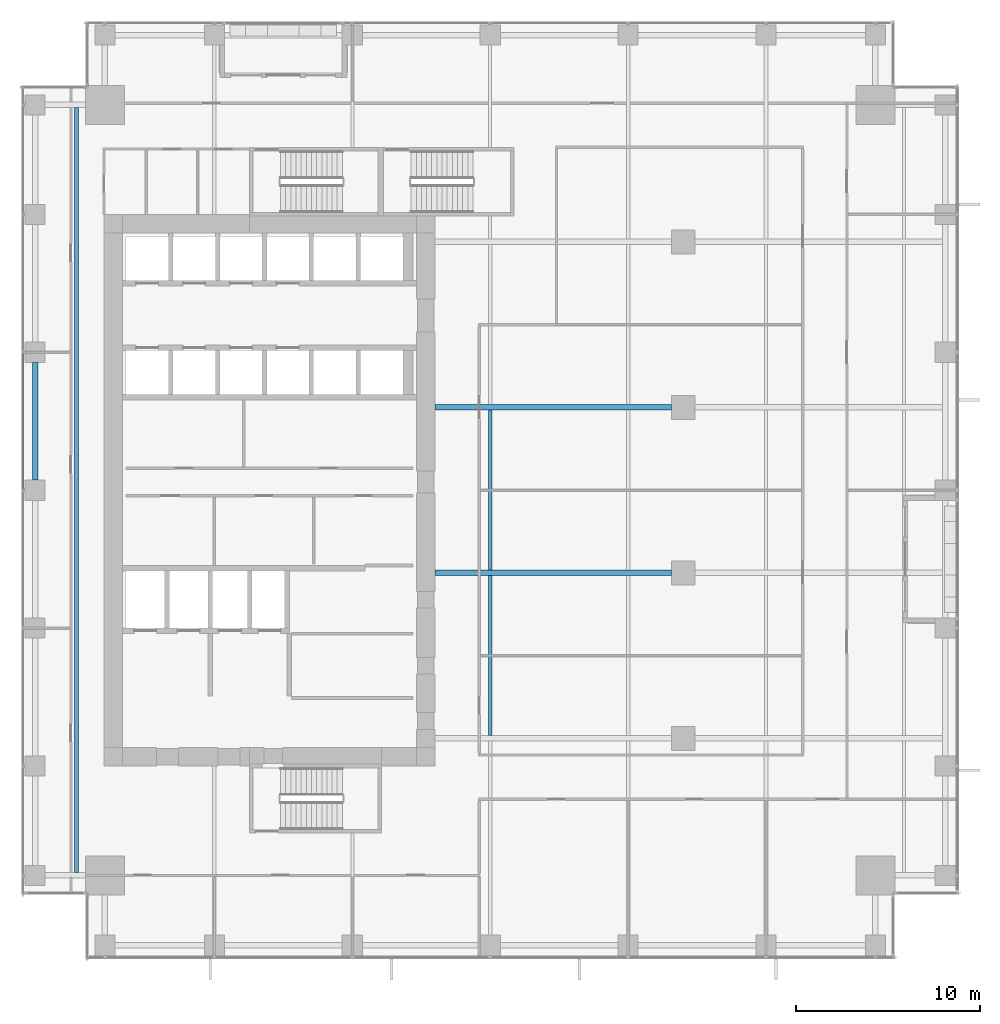
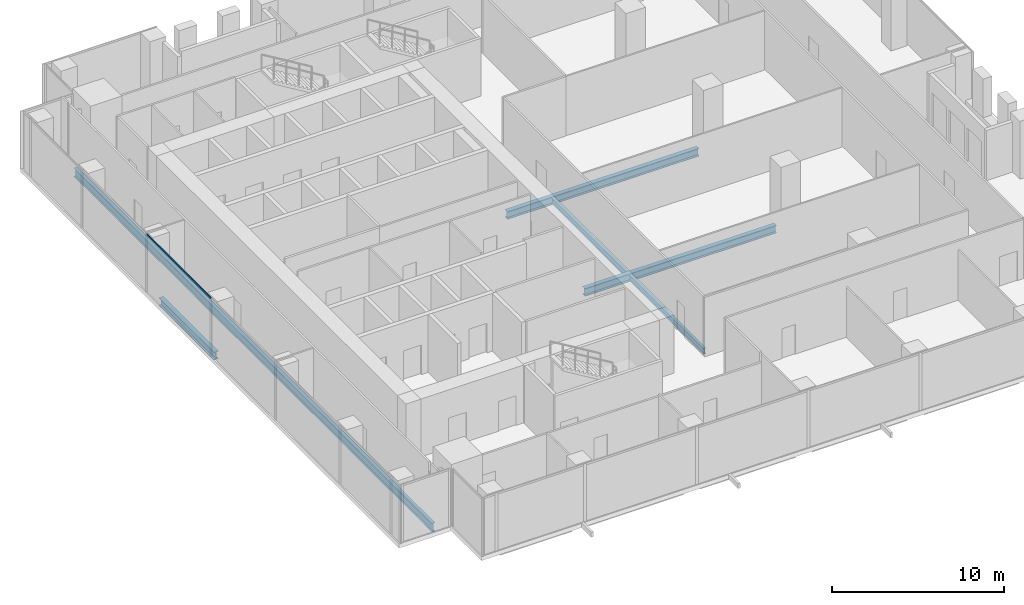
# One storey, part 8 of 34: 6 beams, 1 member, 1 element without a shape of its own.
"""IFC4 building model written with IfcOpenShell, lengths in metres."""

from ifc_helpers import new_model, si_unit, direction, frame, origin, origin_2d, place, context, subcontext, project, spatial, hollow_rectangle, i_section, extrude, source, transform, mapped, material, material_profile, profile_set, type_object, element, aggregate, save


model = new_model("IFC4")

# Units and contexts
model_context = context("Model", 3, precision=1e-05, world=origin(), true_north=direction((0.0, 1.0)))
body_context = subcontext(model_context, "Body", "Model", "MODEL_VIEW")
ifc_project = project(units=[si_unit("LENGTHUNIT", "METRE"), si_unit("AREAUNIT", "SQUARE_METRE"), si_unit("VOLUMEUNIT", "CUBIC_METRE"), si_unit("PLANEANGLEUNIT", "RADIAN"), si_unit("MASSUNIT", "GRAM", prefix="KILO")], contexts=[model_context])

# Site, building, storey
site_placement = place(None, origin())
site = spatial("IfcSite", under=ifc_project, at=site_placement, CompositionType="ELEMENT")
building_placement = place(site_placement, origin())
building = spatial("IfcBuilding", under=site, at=building_placement, Name="Khomas Fold Tower", CompositionType="ELEMENT")
storey_placement = place(building_placement, frame((0.0, 0.0, 105.89990234375)))
storey = spatial("IfcBuildingStorey", under=building, at=storey_placement, Name="L22", CompositionType="ELEMENT", Elevation=105.89990234375)

# Beams
ifc_material_1 = material(Name="Steel S355", Category="steel")
ifc_material_profile_1 = material_profile(ifc_material_1, i_section(OverallWidth=0.179931640625, OverallDepth=0.39990234375, WebThickness=0.008544921875, FlangeThickness=0.013427734375, at=origin_2d()), Name="IPE 400")
ifc_profile_set_1 = profile_set([ifc_material_profile_1], Name="Steel S355")
beam_type_1 = type_object("IfcBeamType", Name="IPE 400 beam JB3", PredefinedType="BEAM", material=ifc_profile_set_1)
shared_shape_1 = source(origin(), body_context, "Body", "SweptSolid", [
    extrude(i_section(OverallWidth=0.179931640625, OverallDepth=0.39990234375, WebThickness=0.008544921875, FlangeThickness=0.013427734375, at=origin_2d()), origin(), (0.0, 0.0, 1.0), 8.7001953125),
])
for number, where, z_axis, x_axis, name in (
    (1, (27.0, 13.64990234375, -0.5), (0.0, 1.0, 0.0), (-1.0, 0.0, 0.0), "JB3"),
    (2, (27.0, 22.64990234375, -0.5), (0.0, 1.0, 0.0), (-1.0, 0.0, 0.0), "JB3"),
):
    element("IfcBeam", number, at=place(storey_placement, frame(where, z_axis=z_axis, x_axis=x_axis)), inside=storey, type_object=beam_type_1, Name=name, PredefinedType="BEAM", context=body_context, shape_type="MappedRepresentation", body=[
        mapped(shared_shape_1, transform((0.0, 0.0, 0.0))),
    ])
ifc_material_2 = material(Name="Steel S355", Category="steel")
ifc_material_profile_2 = material_profile(ifc_material_2, i_section(OverallWidth=0.300048828125, OverallDepth=0.550048828125, WebThickness=0.014892578125, FlangeThickness=0.029052734375, at=origin_2d()), Name="HE 550 B")
ifc_profile_set_2 = profile_set([ifc_material_profile_2], Name="Steel S355")
beam_type_2 = type_object("IfcBeamType", Name="HE 550 B spandrel SB2", PredefinedType="SPANDREL", material=ifc_profile_set_2)
shared_shape_2 = source(origin(), body_context, "Body", "SweptSolid", [
    extrude(i_section(OverallWidth=0.300048828125, OverallDepth=0.550048828125, WebThickness=0.014892578125, FlangeThickness=0.029052734375, at=origin_2d()), origin(), (0.0, 0.0, 1.0), 6.39990234375),
])
beam_1_placement = place(storey_placement, frame((2.25, 27.550048828125, -0.574951171875), z_axis=(0.0, 1.0, 0.0), x_axis=(-1.0, 0.0, 0.0)))
element("IfcBeam", 3, at=beam_1_placement, inside=storey, type_object=beam_type_2, Name="SB2", PredefinedType="SPANDREL", context=body_context, shape_type="MappedRepresentation", body=[
    mapped(shared_shape_2, transform((0.0, 0.0, 0.0))),
])
ifc_material_3 = material(Name="Steel S355", Category="steel")
ifc_material_profile_3 = material_profile(ifc_material_3, i_section(OverallWidth=0.300048828125, OverallDepth=0.550048828125, WebThickness=0.014892578125, FlangeThickness=0.029052734375, at=origin_2d()), Name="HE 550 B")
ifc_profile_set_3 = profile_set([ifc_material_profile_3], Name="Steel S355")
beam_type_3 = type_object("IfcBeamType", Name="HE 550 B beam GB4", PredefinedType="BEAM", material=ifc_profile_set_3)
shared_shape_3 = source(origin(), body_context, "Body", "SweptSolid", [
    extrude(i_section(OverallWidth=0.300048828125, OverallDepth=0.550048828125, WebThickness=0.014892578125, FlangeThickness=0.029052734375, at=origin_2d()), origin(), (0.0, 0.0, 1.0), 12.85009765625),
])
for number, where, z_axis, x_axis, name in (
    (4, (24.0, 22.5, -0.574951171875), (1.0, 0.0, 0.0), (0.0, 1.0, 0.0), "GB4"),
    (5, (24.0, 31.5, -0.574951171875), (1.0, 0.0, 0.0), (0.0, 1.0, 0.0), "GB4"),
):
    element("IfcBeam", number, at=place(storey_placement, frame(where, z_axis=z_axis, x_axis=x_axis)), inside=storey, type_object=beam_type_3, Name=name, PredefinedType="BEAM", context=body_context, shape_type="MappedRepresentation", body=[
        mapped(shared_shape_3, transform((0.0, 0.0, 0.0))),
    ])
ifc_material_4 = material(Name="Steel S355", Category="steel")
ifc_material_profile_4 = material_profile(ifc_material_4, i_section(OverallWidth=0.219970703125, OverallDepth=0.60009765625, WebThickness=0.011962890625, FlangeThickness=0.01904296875, at=origin_2d()), Name="IPE 600")
ifc_profile_set_4 = profile_set([ifc_material_profile_4], Name="Steel S355")
beam_type_4 = type_object("IfcBeamType", Name="IPE 600 beam JB7", PredefinedType="BEAM", material=ifc_profile_set_4)
shared_shape_4 = source(origin(), body_context, "Body", "SweptSolid", [
    extrude(i_section(OverallWidth=0.219970703125, OverallDepth=0.60009765625, WebThickness=0.011962890625, FlangeThickness=0.01904296875, at=origin_2d()), origin(), (0.0, 0.0, 1.0), 41.60009765625),
])
beam_2_placement = place(storey_placement, frame((4.5, 6.199951171875, -0.599853515625), z_axis=(0.0, 1.0, 0.0), x_axis=(-1.0, 0.0, 0.0)))
element("IfcBeam", 6, at=beam_2_placement, inside=storey, type_object=beam_type_4, Name="JB7", PredefinedType="BEAM", context=body_context, shape_type="MappedRepresentation", body=[
    mapped(shared_shape_4, transform((0.0, 0.0, 0.0))),
])

# Curtain wall, member
ifc_material_5 = material(Name="Aluminium framed double glazing", Category="aluminium")
curtain_wall_type = type_object("IfcCurtainWallType", Name="SK-Unitised clear-glass wall, growing floors CW1", PredefinedType="NOTDEFINED", material=ifc_material_5)
curtain_wall_placement = place(storey_placement, origin())
curtain_wall = element("IfcCurtainWall", 7, at=curtain_wall_placement, inside=storey, type_object=curtain_wall_type, Name="CW1 run L22 09-0", PredefinedType="NOTDEFINED")
ifc_material_6 = material(Name="Aluminium", Category="aluminium")
ifc_material_profile_5 = material_profile(ifc_material_6, hollow_rectangle(XDim=0.06005859375, YDim=0.1201171875, WallThickness=0.00390625, at=origin_2d()), Name="SK-Unitised clear-glass wall, growing floors transom CW1-T")
ifc_profile_set_5 = profile_set([ifc_material_profile_5], Name="Aluminium")
member_type = type_object("IfcMemberType", Name="SK-Unitised clear-glass wall, growing floors transom CW1-T", PredefinedType="USERDEFINED", material=ifc_profile_set_5)
shared_shape_5 = source(origin(), body_context, "Body", "SweptSolid", [
    extrude(hollow_rectangle(XDim=0.06005859375, YDim=0.1201171875, WallThickness=0.00390625, at=origin_2d()), origin(), (0.0, 0.0, 1.0), 7.43994140625),
])
member_placement = place(storey_placement, frame((1.60009765625, 34.469970703125, 4.0400390625), z_axis=(0.0, -1.0, 0.0), x_axis=(1.0, 0.0, 0.0)))
member = element("IfcMember", 8, at=member_placement, type_object=member_type, Name="CW1 transom 4", ObjectType="TRANSOM", PredefinedType="USERDEFINED", context=body_context, shape_type="MappedRepresentation", body=[
    mapped(shared_shape_5, transform((0.0, 0.0, 0.0))),
])
aggregate(curtain_wall, [member])

save(model, "model.ifc")
